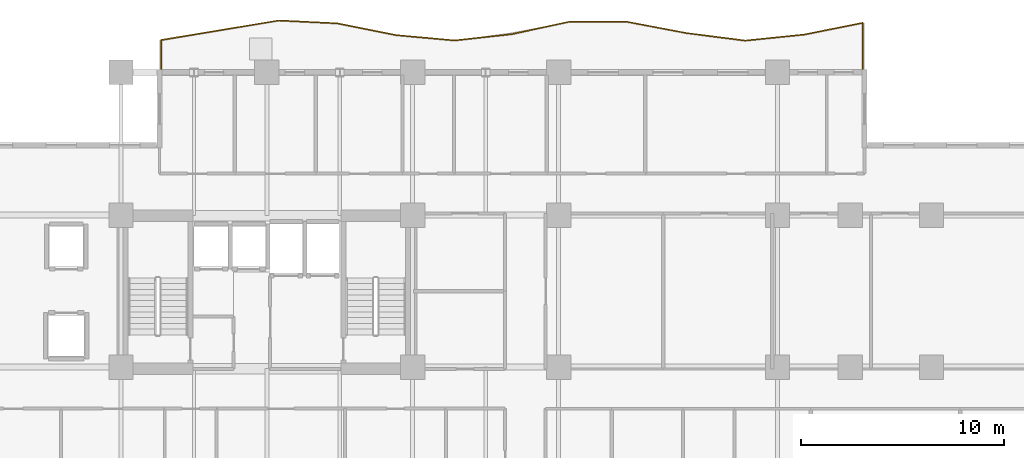
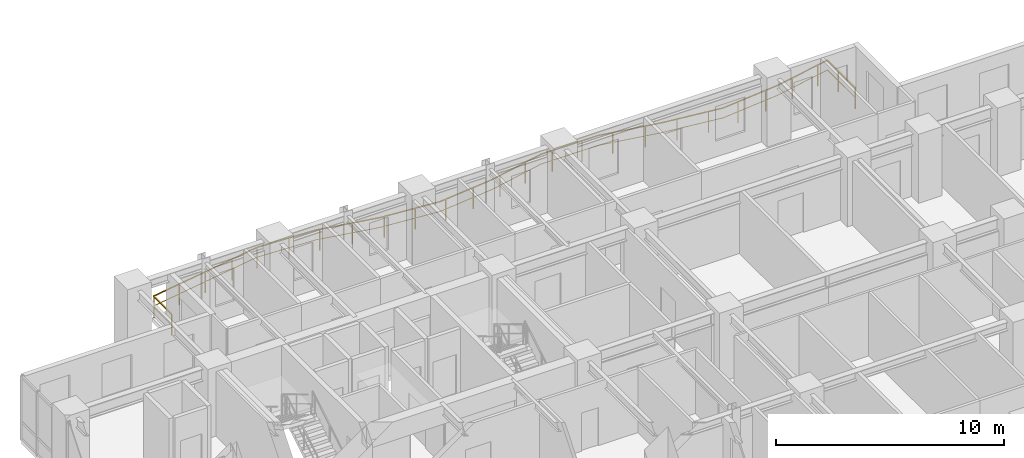
# One storey, part 17 of 18: 1 railing.
"""IFC4 building model written with IfcOpenShell, lengths in metres."""

from ifc_helpers import new_model, si_unit, direction, frame, origin, origin_2d, place, context, subcontext, project, spatial, rectangle, extrude, material, type_object, element, save


model = new_model("IFC4")

# Units and contexts
model_context = context("Model", 3, precision=1e-05, world=origin(), true_north=direction((0.0, 1.0)))
body_context = subcontext(model_context, "Body", "Model", "MODEL_VIEW")
ifc_project = project(units=[si_unit("LENGTHUNIT", "METRE"), si_unit("AREAUNIT", "SQUARE_METRE"), si_unit("VOLUMEUNIT", "CUBIC_METRE"), si_unit("PLANEANGLEUNIT", "RADIAN"), si_unit("MASSUNIT", "GRAM", prefix="KILO")], contexts=[model_context])

# Site, building, storey
site_placement = place(None, origin())
site = spatial("IfcSite", under=ifc_project, at=site_placement, CompositionType="ELEMENT")
building_placement = place(site_placement, origin())
building = spatial("IfcBuilding", under=site, at=building_placement, Name="Kaliganga Portal Commons", CompositionType="ELEMENT")
storey_placement = place(building_placement, frame((0.0, 0.0, 123.0)))
storey = spatial("IfcBuildingStorey", under=building, at=storey_placement, Name="L31", CompositionType="ELEMENT", Elevation=123.0)

# Railing
ifc_material = material(Name="Laminated Safety Glass and Stainless Steel 316", Category="steel")
railing_type = type_object("IfcRailingType", Name="RLG-BAL-1150", PredefinedType="BALUSTRADE", material=ifc_material)
railing_placement = place(storey_placement, frame((51.0205078125, 43.208251953125, 0.0)))
element("IfcRailing", 1, at=railing_placement, inside=storey, type_object=railing_type, Name="Balcony Guardrail L31 balc_north", PredefinedType="BALUSTRADE", context=body_context, shape_type="SweptSolid", body=[
    extrude(rectangle(XDim=0.048095703125, YDim=0.048095703125, at=origin_2d()), frame((0.0, 0.0, 1.1259765625), z_axis=(-0.000200340575, 0.999999979932, 0.0), x_axis=(-0.999999979932, -0.000200340575, 0.0)), (0.0, 0.0, 1.0), 2.437255859375),
    extrude(rectangle(XDim=0.028076171875, YDim=0.028076171875, at=origin_2d()), frame((0.0, 0.0, 0.597900390625), z_axis=(-0.000200340575, 0.999999979932, 0.0), x_axis=(-0.999999979932, -0.000200340575, 0.0)), (0.0, 0.0, 1.0), 2.437255859375),
    extrude(rectangle(XDim=0.048095703125, YDim=0.048095703125, at=origin_2d()), frame((-0.00048828125, 2.437255859375, 1.1259765625), z_axis=(-0.980637790393, -0.195830345076, 0.0), x_axis=(0.195830345076, -0.980637790393, 0.0)), (0.0, 0.0, 1.0), 2.957275390625),
    extrude(rectangle(XDim=0.028076171875, YDim=0.028076171875, at=origin_2d()), frame((-0.00048828125, 2.437255859375, 0.597900390625), z_axis=(-0.980637790393, -0.195830345076, 0.0), x_axis=(0.195830345076, -0.980637790393, 0.0)), (0.0, 0.0, 1.0), 2.957275390625),
    extrude(rectangle(XDim=0.048095703125, YDim=0.048095703125, at=origin_2d()), frame((-2.900390625, 1.858154296875, 1.1259765625), z_axis=(-0.994733384631, -0.102496309688, 0.0), x_axis=(0.102496309688, -0.994733384631, 0.0)), (0.0, 0.0, 1.0), 2.91552734375),
    extrude(rectangle(XDim=0.028076171875, YDim=0.028076171875, at=origin_2d()), frame((-2.900390625, 1.858154296875, 0.597900390625), z_axis=(-0.994733384631, -0.102496309688, 0.0), x_axis=(0.102496309688, -0.994733384631, 0.0)), (0.0, 0.0, 1.0), 2.91552734375),
    extrude(rectangle(XDim=0.048095703125, YDim=0.048095703125, at=origin_2d()), frame((-5.800537109375, 1.559326171875, 1.1259765625), z_axis=(-0.99199524901, 0.126275199234, 0.0), x_axis=(-0.126275199234, -0.99199524901, 0.0)), (0.0, 0.0, 1.0), 2.92333984375),
    extrude(rectangle(XDim=0.028076171875, YDim=0.028076171875, at=origin_2d()), frame((-5.800537109375, 1.559326171875, 0.597900390625), z_axis=(-0.99199524901, 0.126275199234, 0.0), x_axis=(-0.126275199234, -0.99199524901, 0.0)), (0.0, 0.0, 1.0), 2.92333984375),
    extrude(rectangle(XDim=0.048095703125, YDim=0.048095703125, at=origin_2d()), frame((-8.700439453125, 1.928466796875, 1.1259765625), z_axis=(-0.982385597195, 0.186865027287, 0.0), x_axis=(-0.186865027287, -0.982385597195, 0.0)), (0.0, 0.0, 1.0), 2.951416015625),
    extrude(rectangle(XDim=0.028076171875, YDim=0.028076171875, at=origin_2d()), frame((-8.700439453125, 1.928466796875, 0.597900390625), z_axis=(-0.982385597195, 0.186865027287, 0.0), x_axis=(-0.186865027287, -0.982385597195, 0.0)), (0.0, 0.0, 1.0), 2.951416015625),
    extrude(rectangle(XDim=0.048095703125, YDim=0.048095703125, at=origin_2d()), frame((-11.599853515625, 2.47998046875, 1.1259765625), z_axis=(-0.999995401699, 0.00303258651, 0.0), x_axis=(-0.00303258651, -0.999995401699, 0.0)), (0.0, 0.0, 1.0), 2.898193359375),
    extrude(rectangle(XDim=0.028076171875, YDim=0.028076171875, at=origin_2d()), frame((-11.599853515625, 2.47998046875, 0.597900390625), z_axis=(-0.999995401699, 0.00303258651, 0.0), x_axis=(-0.00303258651, -0.999995401699, 0.0)), (0.0, 0.0, 1.0), 2.898193359375),
    extrude(rectangle(XDim=0.048095703125, YDim=0.048095703125, at=origin_2d()), frame((-14.498046875, 2.48876953125, 1.1259765625), z_axis=(-0.977600254029, -0.210470290829, 0.0), x_axis=(0.210470290829, -0.977600254029, 0.0)), (0.0, 0.0, 1.0), 2.88720703125),
    extrude(rectangle(XDim=0.028076171875, YDim=0.028076171875, at=origin_2d()), frame((-14.498046875, 2.48876953125, 0.597900390625), z_axis=(-0.977600254029, -0.210470290829, 0.0), x_axis=(0.210470290829, -0.977600254029, 0.0)), (0.0, 0.0, 1.0), 2.88720703125),
    extrude(rectangle(XDim=0.048095703125, YDim=0.048095703125, at=origin_2d()), frame((-17.320556640625, 1.881103515625, 1.1259765625), z_axis=(-0.993869035814, -0.110563735696, 0.0), x_axis=(0.110563735696, -0.993869035814, 0.0)), (0.0, 0.0, 1.0), 2.83740234375),
    extrude(rectangle(XDim=0.028076171875, YDim=0.028076171875, at=origin_2d()), frame((-17.320556640625, 1.881103515625, 0.597900390625), z_axis=(-0.993869035814, -0.110563735696, 0.0), x_axis=(0.110563735696, -0.993869035814, 0.0)), (0.0, 0.0, 1.0), 2.83740234375),
    extrude(rectangle(XDim=0.048095703125, YDim=0.048095703125, at=origin_2d()), frame((-20.140625, 1.5673828125, 1.1259765625), z_axis=(-0.995959603375, 0.089802385521, 0.0), x_axis=(-0.089802385521, -0.995959603375, 0.0)), (0.0, 0.0, 1.0), 2.91162109375),
    extrude(rectangle(XDim=0.028076171875, YDim=0.028076171875, at=origin_2d()), frame((-20.140625, 1.5673828125, 0.597900390625), z_axis=(-0.995959603375, 0.089802385521, 0.0), x_axis=(-0.089802385521, -0.995959603375, 0.0)), (0.0, 0.0, 1.0), 2.91162109375),
    extrude(rectangle(XDim=0.048095703125, YDim=0.048095703125, at=origin_2d()), frame((-23.04052734375, 1.828857421875, 1.1259765625), z_axis=(-0.980466226127, 0.196687517204, 0.0), x_axis=(-0.196687517204, -0.980466226127, 0.0)), (0.0, 0.0, 1.0), 2.9580078125),
    extrude(rectangle(XDim=0.028076171875, YDim=0.028076171875, at=origin_2d()), frame((-23.04052734375, 1.828857421875, 0.597900390625), z_axis=(-0.980466226127, 0.196687517204, 0.0), x_axis=(-0.196687517204, -0.980466226127, 0.0)), (0.0, 0.0, 1.0), 2.9580078125),
    extrude(rectangle(XDim=0.048095703125, YDim=0.048095703125, at=origin_2d()), frame((-25.940673828125, 2.41064453125, 1.1259765625), z_axis=(-0.998814246588, 0.048683681183, 0.0), x_axis=(-0.048683681183, -0.998814246588, 0.0)), (0.0, 0.0, 1.0), 2.903564453125),
    extrude(rectangle(XDim=0.028076171875, YDim=0.028076171875, at=origin_2d()), frame((-25.940673828125, 2.41064453125, 0.597900390625), z_axis=(-0.998814246588, 0.048683681183, 0.0), x_axis=(-0.048683681183, -0.998814246588, 0.0)), (0.0, 0.0, 1.0), 2.903564453125),
    extrude(rectangle(XDim=0.048095703125, YDim=0.048095703125, at=origin_2d()), frame((-28.8408203125, 2.552001953125, 1.1259765625), z_axis=(-0.986306251802, -0.164924157285, 0.0), x_axis=(0.164924157285, -0.986306251802, 0.0)), (0.0, 0.0, 1.0), 2.93994140625),
    extrude(rectangle(XDim=0.028076171875, YDim=0.028076171875, at=origin_2d()), frame((-28.8408203125, 2.552001953125, 0.597900390625), z_axis=(-0.986306251802, -0.164924157285, 0.0), x_axis=(0.164924157285, -0.986306251802, 0.0)), (0.0, 0.0, 1.0), 2.93994140625),
    extrude(rectangle(XDim=0.048095703125, YDim=0.048095703125, at=origin_2d()), frame((-31.740478515625, 2.067138671875, 1.1259765625), z_axis=(-0.986619705689, -0.16303851185, 0.0), x_axis=(0.16303851185, -0.986619705689, 0.0)), (0.0, 0.0, 1.0), 2.939453125),
    extrude(rectangle(XDim=0.028076171875, YDim=0.028076171875, at=origin_2d()), frame((-31.740478515625, 2.067138671875, 0.597900390625), z_axis=(-0.986619705689, -0.16303851185, 0.0), x_axis=(0.16303851185, -0.986619705689, 0.0)), (0.0, 0.0, 1.0), 2.939453125),
    extrude(rectangle(XDim=0.048095703125, YDim=0.048095703125, at=origin_2d()), frame((-34.640625, 1.587890625, 1.1259765625), z_axis=(-0.000153751536, -0.99999998818, 0.0), x_axis=(0.99999998818, -0.000153751536, 0.0)), (0.0, 0.0, 1.0), 1.587890625),
    extrude(rectangle(XDim=0.028076171875, YDim=0.028076171875, at=origin_2d()), frame((-34.640625, 1.587890625, 0.597900390625), z_axis=(-0.000153751536, -0.99999998818, 0.0), x_axis=(0.99999998818, -0.000153751536, 0.0)), (0.0, 0.0, 1.0), 1.587890625),
    extrude(rectangle(XDim=0.0419921875, YDim=0.0419921875, at=origin_2d()), origin(), (0.0, 0.0, 1.0), 1.101806640625),
    extrude(rectangle(XDim=0.0419921875, YDim=0.0419921875, at=origin_2d()), frame((-0.000244140625, 1.5, 0.0)), (0.0, 0.0, 1.0), 1.101806640625),
    extrude(rectangle(XDim=0.0419921875, YDim=0.0419921875, at=origin_2d()), frame((-0.55224609375, 2.3271484375, 0.0)), (0.0, 0.0, 1.0), 1.101806640625),
    extrude(rectangle(XDim=0.0419921875, YDim=0.0419921875, at=origin_2d()), frame((-2.023193359375, 2.033203125, 0.0)), (0.0, 0.0, 1.0), 1.101806640625),
    extrude(rectangle(XDim=0.0419921875, YDim=0.0419921875, at=origin_2d()), frame((-3.502685546875, 1.796142578125, 0.0)), (0.0, 0.0, 1.0), 1.101806640625),
    extrude(rectangle(XDim=0.0419921875, YDim=0.0419921875, at=origin_2d()), frame((-4.994873046875, 1.642333984375, 0.0)), (0.0, 0.0, 1.0), 1.101806640625),
    extrude(rectangle(XDim=0.0419921875, YDim=0.0419921875, at=origin_2d()), frame((-6.485107421875, 1.646484375, 0.0)), (0.0, 0.0, 1.0), 1.101806640625),
    extrude(rectangle(XDim=0.0419921875, YDim=0.0419921875, at=origin_2d()), frame((-7.97314453125, 1.8359375, 0.0)), (0.0, 0.0, 1.0), 1.101806640625),
    extrude(rectangle(XDim=0.0419921875, YDim=0.0419921875, at=origin_2d()), frame((-9.45361328125, 2.07177734375, 0.0)), (0.0, 0.0, 1.0), 1.101806640625),
    extrude(rectangle(XDim=0.0419921875, YDim=0.0419921875, at=origin_2d()), frame((-10.92724609375, 2.35205078125, 0.0)), (0.0, 0.0, 1.0), 1.101806640625),
    extrude(rectangle(XDim=0.0419921875, YDim=0.0419921875, at=origin_2d()), frame((-12.415283203125, 2.482421875, 0.0)), (0.0, 0.0, 1.0), 1.101806640625),
    extrude(rectangle(XDim=0.0419921875, YDim=0.0419921875, at=origin_2d()), frame((-13.915283203125, 2.487060546875, 0.0)), (0.0, 0.0, 1.0), 1.101806640625),
    extrude(rectangle(XDim=0.0419921875, YDim=0.0419921875, at=origin_2d()), frame((-15.394775390625, 2.295654296875, 0.0)), (0.0, 0.0, 1.0), 1.101806640625),
    extrude(rectangle(XDim=0.0419921875, YDim=0.0419921875, at=origin_2d()), frame((-16.861083984375, 1.97998046875, 0.0)), (0.0, 0.0, 1.0), 1.101806640625),
    extrude(rectangle(XDim=0.0419921875, YDim=0.0419921875, at=origin_2d()), frame((-18.34423828125, 1.767333984375, 0.0)), (0.0, 0.0, 1.0), 1.101806640625),
    extrude(rectangle(XDim=0.0419921875, YDim=0.0419921875, at=origin_2d()), frame((-19.8349609375, 1.601318359375, 0.0)), (0.0, 0.0, 1.0), 1.101806640625),
    extrude(rectangle(XDim=0.0419921875, YDim=0.0419921875, at=origin_2d()), frame((-21.328369140625, 1.674560546875, 0.0)), (0.0, 0.0, 1.0), 1.101806640625),
    extrude(rectangle(XDim=0.0419921875, YDim=0.0419921875, at=origin_2d()), frame((-22.822265625, 1.80908203125, 0.0)), (0.0, 0.0, 1.0), 1.101806640625),
    extrude(rectangle(XDim=0.0419921875, YDim=0.0419921875, at=origin_2d()), frame((-24.29638671875, 2.080810546875, 0.0)), (0.0, 0.0, 1.0), 1.101806640625),
    extrude(rectangle(XDim=0.0419921875, YDim=0.0419921875, at=origin_2d()), frame((-25.76708984375, 2.375732421875, 0.0)), (0.0, 0.0, 1.0), 1.101806640625),
    extrude(rectangle(XDim=0.0419921875, YDim=0.0419921875, at=origin_2d()), frame((-27.261962890625, 2.47509765625, 0.0)), (0.0, 0.0, 1.0), 1.101806640625),
    extrude(rectangle(XDim=0.0419921875, YDim=0.0419921875, at=origin_2d()), frame((-28.8408203125, 2.552001953125, 0.0)), (0.0, 0.0, 1.0), 1.101806640625),
    extrude(rectangle(XDim=0.0419921875, YDim=0.0419921875, at=origin_2d()), frame((-30.24072265625, 2.31787109375, 0.0)), (0.0, 0.0, 1.0), 1.101806640625),
    extrude(rectangle(XDim=0.0419921875, YDim=0.0419921875, at=origin_2d()), frame((-31.740478515625, 2.067138671875, 0.0)), (0.0, 0.0, 1.0), 1.101806640625),
    extrude(rectangle(XDim=0.0419921875, YDim=0.0419921875, at=origin_2d()), frame((-33.2001953125, 1.825927734375, 0.0)), (0.0, 0.0, 1.0), 1.101806640625),
    extrude(rectangle(XDim=0.0419921875, YDim=0.0419921875, at=origin_2d()), frame((-34.640625, 1.5478515625, 0.0)), (0.0, 0.0, 1.0), 1.101806640625),
    extrude(rectangle(XDim=0.0419921875, YDim=0.0419921875, at=origin_2d()), frame((-34.640869140625, 0.0, 0.0)), (0.0, 0.0, 1.0), 1.101806640625),
])

save(model, "model.ifc")
